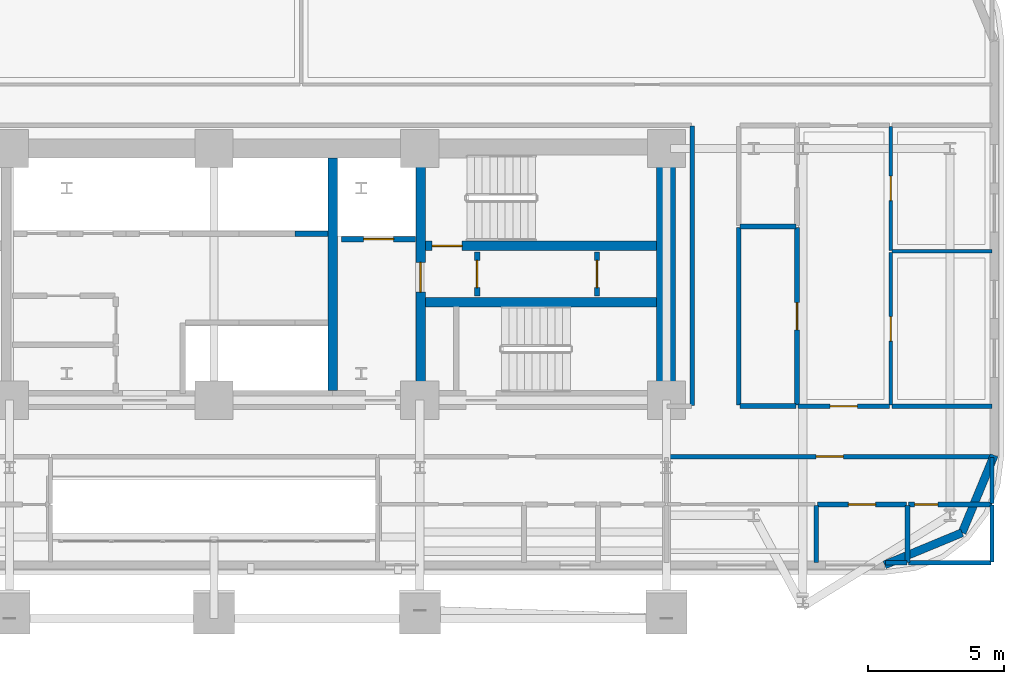
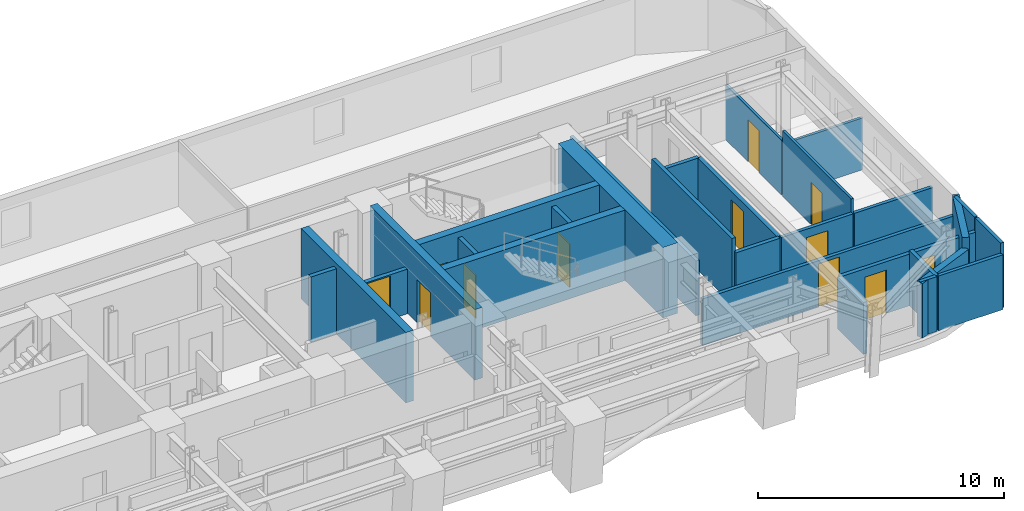
# One storey, part 10 of 15: 30 walls, 12 doors, 12 openings.
"""IFC4 building model written with IfcOpenShell, lengths in metres."""

from ifc_helpers import new_model, si_unit, direction, frame, frame_2d, origin, place, context, subcontext, project, spatial, rectangle, extrude, material, layer, layer_set, type_object, element, fill, save


model = new_model("IFC4")

# Units and contexts
model_context = context("Model", 3, precision=1e-05, world=origin(), true_north=direction((0.0, 1.0)))
body_context = subcontext(model_context, "Body", "Model", "MODEL_VIEW")
ifc_project = project(units=[si_unit("LENGTHUNIT", "METRE"), si_unit("AREAUNIT", "SQUARE_METRE"), si_unit("VOLUMEUNIT", "CUBIC_METRE"), si_unit("PLANEANGLEUNIT", "RADIAN"), si_unit("MASSUNIT", "GRAM", prefix="KILO")], contexts=[model_context])

# Site, building, storey
site_placement = place(None, origin())
site = spatial("IfcSite", under=ifc_project, at=site_placement, CompositionType="ELEMENT")
building_placement = place(site_placement, origin())
building = spatial("IfcBuilding", under=site, at=building_placement, Name="Zarnavel Station Tower", CompositionType="ELEMENT")
storey_placement = place(building_placement, frame((0.0, 0.0, 67.5)))
storey = spatial("IfcBuildingStorey", under=building, at=storey_placement, Name="L18", CompositionType="ELEMENT", Elevation=67.5)

# Wall
ifc_material_1 = material(Name="Concrete C50/60", Category="concrete")
ifc_layer_1 = layer(ifc_material_1, 0.35009765625)
ifc_layer_set_1 = layer_set([ifc_layer_1], Name="CW_350")
wall_type_1 = type_object("IfcWallType", Name="CW_350", PredefinedType="SHEAR", material=ifc_layer_set_1)
wall_1_placement = place(storey_placement, frame((33.14990234375, 28.169921875, 0.0), z_axis=(0.0, 0.0, 1.0), x_axis=(0.0, 1.0, 0.0)))
element("IfcWall", 1, at=wall_1_placement, inside=storey, type_object=wall_type_1, Name="L18 Rear Core Shear Wall DIV-E", PredefinedType="SHEAR", context=body_context, shape_type="SweptSolid", body=[
    extrude(rectangle(XDim=8.530029296875, YDim=0.35009765625, at=frame_2d((4.26513671875, 0.0))), origin(), (0.0, 0.0, 1.0), 3.5),
])

# Wall, opening, door
wall_2_placement = place(storey_placement, frame((36.3798828125, 28.169921875, 0.0), z_axis=(0.0, 0.0, 1.0), x_axis=(0.0, 1.0, 0.0)))
wall_2 = element("IfcWall", 2, at=wall_2_placement, inside=storey, type_object=wall_type_1, Name="L18 Rear Core Shear Wall DIV-S2", PredefinedType="SHEAR", context=body_context, shape_type="SweptSolid", body=[
    extrude(rectangle(XDim=8.530029296875, YDim=0.35009765625, at=frame_2d((4.26513671875, 0.0))), origin(), (0.0, 0.0, 1.0), 3.5),
])
opening_1_placement = place(wall_2_placement, frame((3.610107421875, 0.0, 0.0)))
opening_1 = element("IfcOpeningElement", 3, at=opening_1_placement, cuts=wall_2, Name="Opening FD01", PredefinedType="OPENING", context=body_context, shape_type="SweptSolid", body=[
    extrude(rectangle(XDim=1.10009765625, YDim=2.14990234375, at=frame_2d((0.550048828125, 1.074951171875))), frame((0.0, 0.18505859375, 0.0), z_axis=(0.0, -1.0, 0.0), x_axis=(1.0, 0.0, 0.0)), (0.0, 0.0, 1.0), 0.3701171875),
])
ifc_material_2 = material(Name="Painted Galvanised Steel and Hardwood Leaf", Category="steel")
door_type_1 = type_object("IfcDoorType", Name="ID_STAIR_1100", OperationType="NOTDEFINED", PredefinedType="DOOR", material=ifc_material_2)
door_1_placement = place(opening_1_placement, origin())
door_1 = element("IfcDoor", 4, at=door_1_placement, inside=storey, type_object=door_type_1, Name="L18 East Stair Vestibule Fire Door", OperationType="SINGLE_SWING_LEFT", OverallHeight=2.14990234375, OverallWidth=1.10009765625, PredefinedType="DOOR", context=body_context, shape_type="SweptSolid", body=[
    extrude(rectangle(XDim=1.10009765625, YDim=2.14990234375, at=frame_2d((0.550048828125, 1.074951171875))), frame((0.0, 0.02490234375, 0.0), z_axis=(0.0, -1.0, 0.0), x_axis=(1.0, 0.0, 0.0)), (0.0, 0.0, 1.0), 0.050048828125),
])
fill(opening_1, door_1)

wall_3_placement = place(storey_placement, frame((45.030029296875, 33.47998046875, 0.0), z_axis=(0.0, 0.0, 1.0), x_axis=(-1.0, 0.0, 0.0)))
wall_3 = element("IfcWall", 5, at=wall_3_placement, inside=storey, type_object=wall_type_1, Name="L18 Rear Core Shear Wall DIV-H2", PredefinedType="SHEAR", context=body_context, shape_type="SweptSolid", body=[
    extrude(rectangle(XDim=8.47509765625, YDim=0.35009765625, at=frame_2d((4.237548828125, 0.0))), origin(), (0.0, 0.0, 1.0), 3.5),
])
opening_2_placement = place(wall_3_placement, frame((7.1298828125, 0.0, 0.0)))
opening_2 = element("IfcOpeningElement", 6, at=opening_2_placement, cuts=wall_3, Name="Opening FD01", PredefinedType="OPENING", context=body_context, shape_type="SweptSolid", body=[
    extrude(rectangle(XDim=1.10009765625, YDim=2.14990234375, at=frame_2d((0.550048828125, 1.074951171875))), frame((0.0, 0.18505859375, 0.0), z_axis=(0.0, -1.0, 0.0), x_axis=(1.0, 0.0, 0.0)), (0.0, 0.0, 1.0), 0.3701171875),
])
door_2_placement = place(opening_2_placement, origin())
door_2 = element("IfcDoor", 7, at=door_2_placement, inside=storey, type_object=door_type_1, Name="L18 Stair ST2 Lobby Fire Door", OperationType="SINGLE_SWING_RIGHT", OverallHeight=2.14990234375, OverallWidth=1.10009765625, PredefinedType="DOOR", context=body_context, shape_type="SweptSolid", body=[
    extrude(rectangle(XDim=1.10009765625, YDim=2.14990234375, at=frame_2d((0.550048828125, 1.074951171875))), frame((0.0, 0.02490234375, 0.0), z_axis=(0.0, -1.0, 0.0), x_axis=(1.0, 0.0, 0.0)), (0.0, 0.0, 1.0), 0.050048828125),
])
fill(opening_2, door_2)

# Walls
wall_4_placement = place(storey_placement, frame((36.554931640625, 31.419921875, 0.0), z_axis=(0.0, 0.0, 1.0), x_axis=(1.0, 0.0, 0.0)))
element("IfcWall", 8, at=wall_4_placement, inside=storey, type_object=wall_type_1, Name="L18 Rear Core Shear Wall DIV-H3", PredefinedType="SHEAR", context=body_context, shape_type="SweptSolid", body=[
    extrude(rectangle(XDim=8.47509765625, YDim=0.35009765625, at=frame_2d((4.237548828125, 0.0))), origin(), (0.0, 0.0, 1.0), 3.5),
])
ifc_material_3 = material(Name="Concrete C60/75", Category="concrete")
ifc_layer_2 = layer(ifc_material_3, 0.699951171875)
ifc_layer_set_2 = layer_set([ifc_layer_2], Name="CW_700")
wall_type_2 = type_object("IfcWallType", Name="CW_700", PredefinedType="SHEAR", material=ifc_layer_set_2)
wall_5_placement = place(storey_placement, frame((45.3798828125, 28.169921875, 0.0), z_axis=(0.0, 0.0, 1.0), x_axis=(0.0, 1.0, 0.0)))
element("IfcWall", 9, at=wall_5_placement, inside=storey, type_object=wall_type_2, Name="L18 Rear Core Shear Wall E", PredefinedType="SHEAR", context=body_context, shape_type="SweptSolid", body=[
    extrude(rectangle(XDim=8.530029296875, YDim=0.699951171875, at=frame_2d((4.26513671875, 0.0))), origin(), (0.0, 0.0, 1.0), 3.5),
])
ifc_material_4 = material(Name="Precast concrete C45/55 (Dark Basalt Finish)", Category="masonry")
ifc_layer_3 = layer(ifc_material_4, 0.300048828125)
ifc_layer_set_3 = layer_set([ifc_layer_3], Name="EW_BASALT_300")
wall_type_3 = type_object("IfcWallType", Name="EW_BASALT_300", PredefinedType="SOLIDWALL", material=ifc_layer_set_3)
wall_6_placement = place(storey_placement, frame((56.24267578125, 22.95751953125, 0.0), z_axis=(0.0, 0.0, 1.0), x_axis=(-0.923882414032, -0.382676475685, 0.0)))
element("IfcWall", 10, at=wall_6_placement, inside=storey, type_object=wall_type_3, Name="L18 Exterior Basalt Masonry Frame Wall 01", PredefinedType="SOLIDWALL", context=body_context, shape_type="SweptSolid", body=[
    extrude(rectangle(XDim=3.076904296875, YDim=0.300048828125, at=frame_2d((1.53857421875, 0.0))), origin(), (0.0, 0.0, 1.0), 2.719970703125),
])
wall_7_placement = place(storey_placement, frame((57.419921875, 25.800048828125, 0.0), z_axis=(0.0, 0.0, 1.0), x_axis=(-0.382636798336, -0.92389884758, 0.0)))
element("IfcWall", 11, at=wall_7_placement, inside=storey, type_object=wall_type_3, Name="L18 Exterior Basalt Masonry Frame Wall 02", PredefinedType="SOLIDWALL", context=body_context, shape_type="SweptSolid", body=[
    extrude(rectangle(XDim=3.07666015625, YDim=0.300048828125, at=frame_2d((1.538330078125, 0.0))), origin(), (0.0, 0.0, 1.0), 3.239990234375),
])

# Wall, opening, door
ifc_material_5 = material(Name="Gypsum Twin-Stud Acoustic Fire Partition", Category="concrete")
ifc_layer_4 = layer(ifc_material_5, 0.159912109375)
ifc_layer_set_4 = layer_set([ifc_layer_4], Name="PT_DEMISE_160")
wall_type_4 = type_object("IfcWallType", Name="PT_DEMISE_160", PredefinedType="PARTITIONING", material=ifc_layer_set_4)
wall_8_placement = place(storey_placement, frame((50.22705078125, 27.60009765625, 0.0), z_axis=(0.0, 0.0, 1.0), x_axis=(1.0, 0.0, 0.0)))
wall_8 = element("IfcWall", 12, at=wall_8_placement, inside=storey, type_object=wall_type_4, Name="L18 Partition COR-S-FNELV", PredefinedType="PARTITIONING", context=body_context, shape_type="SweptSolid", body=[
    extrude(rectangle(XDim=3.35693359375, YDim=0.159912109375, at=frame_2d((1.678466796875, 0.0))), origin(), (0.0, 0.0, 1.0), 2.570068359375),
])
opening_3_placement = place(wall_8_placement, frame((1.178466796875, 0.0, 0.0)))
opening_3 = element("IfcOpeningElement", 13, at=opening_3_placement, cuts=wall_8, Name="Opening FD02", PredefinedType="OPENING", context=body_context, shape_type="SweptSolid", body=[
    extrude(rectangle(XDim=1.0, YDim=2.14990234375, at=frame_2d((0.5, 1.074951171875))), frame((0.0, 0.08984375, 0.0), z_axis=(0.0, -1.0, 0.0), x_axis=(1.0, 0.0, 0.0)), (0.0, 0.0, 1.0), 0.179931640625),
])
ifc_material_6 = material(Name="Painted Galvanised Steel and Hardwood Leaf", Category="steel")
door_type_2 = type_object("IfcDoorType", Name="ID_ENTRY_1000", OperationType="NOTDEFINED", PredefinedType="DOOR", material=ifc_material_6)
door_3_placement = place(opening_3_placement, origin())
door_3 = element("IfcDoor", 14, at=door_3_placement, inside=storey, type_object=door_type_2, Name="L18 Door COR-S-FNELV", OperationType="SINGLE_SWING_LEFT", OverallHeight=2.14990234375, OverallWidth=1.0, PredefinedType="DOOR", context=body_context, shape_type="SweptSolid", body=[
    extrude(rectangle(XDim=1.0, YDim=2.14990234375, at=frame_2d((0.5, 1.074951171875))), frame((0.0, 0.02490234375, 0.0), z_axis=(0.0, -1.0, 0.0), x_axis=(1.0, 0.0, 0.0)), (0.0, 0.0, 1.0), 0.050048828125),
])
fill(opening_3, door_3)

# Wall
wall_9_placement = place(storey_placement, frame((53.6640625, 27.60009765625, 0.0), z_axis=(0.0, 0.0, 1.0), x_axis=(1.0, 0.0, 0.0)))
element("IfcWall", 15, at=wall_9_placement, inside=storey, type_object=wall_type_4, Name="L18 Partition COR-S-FNEB1", PredefinedType="PARTITIONING", context=body_context, shape_type="SweptSolid", body=[
    extrude(rectangle(XDim=3.676025390625, YDim=0.159912109375, at=frame_2d((1.837890625, 0.0))), origin(), (0.0, 0.0, 1.0), 2.570068359375),
])

# Wall, opening, door
wall_10_placement = place(storey_placement, frame((45.43994140625, 25.75, 0.0), z_axis=(0.0, 0.0, 1.0), x_axis=(1.0, 0.0, 0.0)))
wall_10 = element("IfcWall", 16, at=wall_10_placement, inside=storey, type_object=wall_type_4, Name="L18 Partition COR-S-UE2LV", PredefinedType="PARTITIONING", context=body_context, shape_type="SweptSolid", body=[
    extrude(rectangle(XDim=11.900146484375, YDim=0.159912109375, at=frame_2d((5.9501953125, 0.0))), origin(), (0.0, 0.0, 1.0), 2.31005859375),
])
opening_4_placement = place(wall_10_placement, frame((5.449951171875, 0.0, 0.0)))
opening_4 = element("IfcOpeningElement", 17, at=opening_4_placement, cuts=wall_10, Name="Opening FD02", PredefinedType="OPENING", context=body_context, shape_type="SweptSolid", body=[
    extrude(rectangle(XDim=1.0, YDim=2.14990234375, at=frame_2d((0.5, 1.074951171875))), frame((0.0, 0.08984375, 0.0), z_axis=(0.0, -1.0, 0.0), x_axis=(1.0, 0.0, 0.0)), (0.0, 0.0, 1.0), 0.179931640625),
])
door_4_placement = place(opening_4_placement, origin())
door_4 = element("IfcDoor", 18, at=door_4_placement, inside=storey, type_object=door_type_2, Name="L18 Door COR-S-UE2LV", OperationType="SINGLE_SWING_LEFT", OverallHeight=2.14990234375, OverallWidth=1.0, PredefinedType="DOOR", context=body_context, shape_type="SweptSolid", body=[
    extrude(rectangle(XDim=1.0, YDim=2.14990234375, at=frame_2d((0.5, 1.074951171875))), frame((0.0, 0.02490234375, 0.0), z_axis=(0.0, -1.0, 0.0), x_axis=(1.0, 0.0, 0.0)), (0.0, 0.0, 1.0), 0.050048828125),
])
fill(opening_4, door_4)

# Walls
wall_11_placement = place(storey_placement, frame((46.35009765625, 27.6298828125, 0.0), z_axis=(0.0, 0.0, 1.0), x_axis=(0.0, 1.0, 0.0)))
element("IfcWall", 19, at=wall_11_placement, inside=storey, type_object=wall_type_4, Name="L18 Enclosure Wall COR-E", PredefinedType="PARTITIONING", context=body_context, shape_type="SweptSolid", body=[
    extrude(rectangle(XDim=10.240234375, YDim=0.159912109375, at=frame_2d((5.1201171875, 0.0))), origin(), (0.0, 0.0, 1.0), 2.719970703125),
])
wall_12_placement = place(storey_placement, frame((57.340087890625, 24.030029296875, 0.0), z_axis=(0.0, 0.0, 1.0), x_axis=(0.0, 1.0, 0.0)))
element("IfcWall", 20, at=wall_12_placement, inside=storey, type_object=wall_type_4, Name="L18 Enclosure Wall UE2LV", PredefinedType="PARTITIONING", context=body_context, shape_type="SweptSolid", body=[
    extrude(rectangle(XDim=1.68994140625, YDim=0.159912109375, at=frame_2d((0.844970703125, 0.0))), origin(), (0.0, 0.0, 1.0), 3.239990234375),
])
wall_13_placement = place(storey_placement, frame((53.429931640625, 21.860107421875, 0.0), z_axis=(0.0, 0.0, 1.0), x_axis=(1.0, 0.0, 0.0)))
element("IfcWall", 21, at=wall_13_placement, inside=storey, type_object=wall_type_4, Name="L18 Enclosure Wall UE2KT", PredefinedType="PARTITIONING", context=body_context, shape_type="SweptSolid", body=[
    extrude(rectangle(XDim=0.78515625, YDim=0.159912109375, at=frame_2d((0.392578125, 0.0))), origin(), (0.0, 0.0, 1.0), 2.719970703125),
])
wall_14_placement = place(storey_placement, frame((54.27490234375, 21.860107421875, 0.0), z_axis=(0.0, 0.0, 1.0), x_axis=(1.0, 0.0, 0.0)))
element("IfcWall", 22, at=wall_14_placement, inside=storey, type_object=wall_type_4, Name="L18 Enclosure Wall UE2BA", PredefinedType="PARTITIONING", context=body_context, shape_type="SweptSolid", body=[
    extrude(rectangle(XDim=3.03515625, YDim=0.159912109375, at=frame_2d((1.517578125, 0.0))), origin(), (0.0, 0.0, 1.0), 2.719970703125),
])
wall_15_placement = place(storey_placement, frame((57.340087890625, 21.889892578125, 0.0), z_axis=(0.0, 0.0, 1.0), x_axis=(0.0, 1.0, 0.0)))
element("IfcWall", 23, at=wall_15_placement, inside=storey, type_object=wall_type_4, Name="L18 Enclosure Wall UE2BA", PredefinedType="PARTITIONING", context=body_context, shape_type="SweptSolid", body=[
    extrude(rectangle(XDim=2.080078125, YDim=0.159912109375, at=frame_2d((1.0400390625, 0.0))), origin(), (0.0, 0.0, 1.0), 3.239990234375),
])

# Wall, opening, door
ifc_material_7 = material(Name="Gypsum Metal-Stud Interior Partition", Category="concrete")
ifc_layer_5 = layer(ifc_material_7, 0.1201171875)
ifc_layer_set_5 = layer_set([ifc_layer_5], Name="PT_ROOM_120")
wall_type_5 = type_object("IfcWallType", Name="PT_ROOM_120", PredefinedType="PARTITIONING", material=ifc_layer_set_5)
wall_16_placement = place(storey_placement, frame((53.6240234375, 27.639892578125, 0.0), z_axis=(0.0, 0.0, 1.0), x_axis=(0.0, 1.0, 0.0)))
wall_16 = element("IfcWall", 24, at=wall_16_placement, inside=storey, type_object=wall_type_5, Name="L18 Partition FNELV-FNEB1", PredefinedType="PARTITIONING", context=body_context, shape_type="SweptSolid", body=[
    extrude(rectangle(XDim=5.59912109375, YDim=0.1201171875, at=frame_2d((2.799560546875, 0.0))), origin(), (0.0, 0.0, 1.0), 3.239990234375),
])
opening_5_placement = place(wall_16_placement, frame((2.349609375, 0.0, 0.0)))
opening_5 = element("IfcOpeningElement", 25, at=opening_5_placement, cuts=wall_16, Name="Opening ID01", PredefinedType="OPENING", context=body_context, shape_type="SweptSolid", body=[
    extrude(rectangle(XDim=0.89990234375, YDim=2.10009765625, at=frame_2d((0.449951171875, 1.050048828125))), frame((0.0, 0.070068359375, 0.0), z_axis=(0.0, -1.0, 0.0), x_axis=(1.0, 0.0, 0.0)), (0.0, 0.0, 1.0), 0.14013671875),
])
ifc_material_8 = material(Name="Painted Galvanised Steel and Hardwood Leaf", Category="steel")
door_type_3 = type_object("IfcDoorType", Name="ID_ROOM_900", OperationType="NOTDEFINED", PredefinedType="DOOR", material=ifc_material_8)
door_5_placement = place(opening_5_placement, origin())
door_5 = element("IfcDoor", 26, at=door_5_placement, inside=storey, type_object=door_type_3, Name="L18 Door FNELV-FNEB1", OperationType="SINGLE_SWING_LEFT", OverallHeight=2.10009765625, OverallWidth=0.89990234375, PredefinedType="DOOR", context=body_context, shape_type="SweptSolid", body=[
    extrude(rectangle(XDim=0.89990234375, YDim=2.10009765625, at=frame_2d((0.449951171875, 1.050048828125))), frame((0.0, 0.02490234375, 0.0), z_axis=(0.0, -1.0, 0.0), x_axis=(1.0, 0.0, 0.0)), (0.0, 0.0, 1.0), 0.050048828125),
])
fill(opening_5, door_5)

wall_17_placement = place(storey_placement, frame((53.6240234375, 33.319091796875, 0.0), z_axis=(0.0, 0.0, 1.0), x_axis=(0.0, 1.0, 0.0)))
wall_17 = element("IfcWall", 27, at=wall_17_placement, inside=storey, type_object=wall_type_5, Name="L18 Partition FNELV-FNEB2", PredefinedType="PARTITIONING", context=body_context, shape_type="SweptSolid", body=[
    extrude(rectangle(XDim=4.541015625, YDim=0.1201171875, at=frame_2d((2.2705078125, 0.0))), origin(), (0.0, 0.0, 1.0), 2.719970703125),
])
opening_6_placement = place(wall_17_placement, frame((1.820556640625, 0.0, 0.0)))
opening_6 = element("IfcOpeningElement", 28, at=opening_6_placement, cuts=wall_17, Name="Opening ID01", PredefinedType="OPENING", context=body_context, shape_type="SweptSolid", body=[
    extrude(rectangle(XDim=0.89990234375, YDim=2.10009765625, at=frame_2d((0.449951171875, 1.050048828125))), frame((0.0, 0.070068359375, 0.0), z_axis=(0.0, -1.0, 0.0), x_axis=(1.0, 0.0, 0.0)), (0.0, 0.0, 1.0), 0.14013671875),
])
door_6_placement = place(opening_6_placement, origin())
door_6 = element("IfcDoor", 29, at=door_6_placement, inside=storey, type_object=door_type_3, Name="L18 Door FNELV-FNEB2", OperationType="SINGLE_SWING_RIGHT", OverallHeight=2.10009765625, OverallWidth=0.89990234375, PredefinedType="DOOR", context=body_context, shape_type="SweptSolid", body=[
    extrude(rectangle(XDim=0.89990234375, YDim=2.10009765625, at=frame_2d((0.449951171875, 1.050048828125))), frame((0.0, 0.02490234375, 0.0), z_axis=(0.0, -1.0, 0.0), x_axis=(1.0, 0.0, 0.0)), (0.0, 0.0, 1.0), 0.050048828125),
])
fill(opening_6, door_6)

# Wall
wall_18_placement = place(storey_placement, frame((53.6640625, 33.279052734375, 0.0), z_axis=(0.0, 0.0, 1.0), x_axis=(1.0, 0.0, 0.0)))
element("IfcWall", 30, at=wall_18_placement, inside=storey, type_object=wall_type_5, Name="L18 Partition FNEB1-FNEB2", PredefinedType="PARTITIONING", context=body_context, shape_type="SweptSolid", body=[
    extrude(rectangle(XDim=3.676025390625, YDim=0.1201171875, at=frame_2d((1.837890625, 0.0))), origin(), (0.0, 0.0, 1.0), 2.570068359375),
])

# Wall, opening, door
ifc_material_9 = material(Name="Precast concrete C45/55 (Fire Shaft Blockwork)", Category="masonry")
ifc_layer_6 = layer(ifc_material_9, 0.199951171875)
ifc_layer_set_6 = layer_set([ifc_layer_6], Name="PT_SHAFT_200")
wall_type_6 = type_object("IfcWallType", Name="PT_SHAFT_200", PredefinedType="PARTITIONING", material=ifc_layer_set_6)
wall_19_placement = place(storey_placement, frame((33.47509765625, 33.72998046875, 0.0), z_axis=(0.0, 0.0, 1.0), x_axis=(1.0, 0.0, 0.0)))
wall_19 = element("IfcWall", 31, at=wall_19_placement, inside=storey, type_object=wall_type_6, Name="L18 Lift FFL-02 Shaft Front Wall", PredefinedType="PARTITIONING", context=body_context, shape_type="SweptSolid", body=[
    extrude(rectangle(XDim=2.724853515625, YDim=0.199951171875, at=frame_2d((1.3623046875, 0.0))), origin(), (0.0, 0.0, 1.0), 2.2119140625),
])
opening_7_placement = place(wall_19_placement, frame((0.8125, 0.0, 0.0)))
opening_7 = element("IfcOpeningElement", 32, at=opening_7_placement, cuts=wall_19, Name="Opening LD01", PredefinedType="OPENING", context=body_context, shape_type="SweptSolid", body=[
    extrude(rectangle(XDim=1.10009765625, YDim=2.14990234375, at=frame_2d((0.550048828125, 1.074951171875))), frame((0.0, 0.10986328125, 0.0), z_axis=(0.0, -1.0, 0.0), x_axis=(1.0, 0.0, 0.0)), (0.0, 0.0, 1.0), 0.219970703125),
])
ifc_material_10 = material(Name="Painted Galvanised Steel and Hardwood Leaf", Category="steel")
door_type_4 = type_object("IfcDoorType", Name="LD_FF_1100", OperationType="DOUBLE_DOOR_SLIDING", PredefinedType="DOOR", material=ifc_material_10)
door_7_placement = place(opening_7_placement, origin())
door_7 = element("IfcDoor", 33, at=door_7_placement, inside=storey, type_object=door_type_4, Name="L18 Lift FFL-02 Sliding Landing Door", OperationType="DOUBLE_DOOR_SLIDING", OverallHeight=2.14990234375, OverallWidth=1.10009765625, PredefinedType="DOOR", context=body_context, shape_type="SweptSolid", body=[
    extrude(rectangle(XDim=1.10009765625, YDim=2.14990234375, at=frame_2d((0.550048828125, 1.074951171875))), frame((0.0, 0.02490234375, 0.0), z_axis=(0.0, -1.0, 0.0), x_axis=(1.0, 0.0, 0.0)), (0.0, 0.0, 1.0), 0.050048828125),
])
fill(opening_7, door_7)

# Wall
wall_20_placement = place(storey_placement, frame((31.77490234375, 33.929931640625, 0.0), z_axis=(0.0, 0.0, 1.0), x_axis=(1.0, 0.0, 0.0)))
element("IfcWall", 34, at=wall_20_placement, inside=storey, type_object=wall_type_6, Name="L18 Lift PL-M3 Shaft Front Wall", PredefinedType="PARTITIONING", context=body_context, shape_type="SweptSolid", body=[
    extrude(rectangle(XDim=1.2001953125, YDim=0.199951171875, at=frame_2d((0.60009765625, 0.0))), origin(), (0.0, 0.0, 1.0), 3.239990234375),
])

# Wall, opening, door
wall_21_placement = place(storey_placement, frame((38.449951171875, 31.639892578125, 0.0), z_axis=(0.0, 0.0, 1.0), x_axis=(0.0, 1.0, 0.0)))
wall_21 = element("IfcWall", 35, at=wall_21_placement, inside=storey, type_object=wall_type_6, Name="L18 Partition ESTV-CEA", PredefinedType="PARTITIONING", context=body_context, shape_type="SweptSolid", body=[
    extrude(rectangle(XDim=1.6201171875, YDim=0.199951171875, at=frame_2d((0.81005859375, 0.0))), origin(), (0.0, 0.0, 1.0), 3.239990234375),
])
opening_8_placement = place(wall_21_placement, frame((0.31005859375, 0.0, 0.0)))
opening_8 = element("IfcOpeningElement", 36, at=opening_8_placement, cuts=wall_21, Name="Opening FD02", PredefinedType="OPENING", context=body_context, shape_type="SweptSolid", body=[
    extrude(rectangle(XDim=1.0, YDim=2.14990234375, at=frame_2d((0.5, 1.074951171875))), frame((0.0, 0.10986328125, 0.0), z_axis=(0.0, -1.0, 0.0), x_axis=(1.0, 0.0, 0.0)), (0.0, 0.0, 1.0), 0.219970703125),
])
door_8_placement = place(opening_8_placement, origin())
door_8 = element("IfcDoor", 37, at=door_8_placement, inside=storey, type_object=door_type_2, Name="L18 Door ESTV-CEA", OperationType="SINGLE_SWING_LEFT", OverallHeight=2.14990234375, OverallWidth=1.0, PredefinedType="DOOR", context=body_context, shape_type="SweptSolid", body=[
    extrude(rectangle(XDim=1.0, YDim=2.14990234375, at=frame_2d((0.5, 1.074951171875))), frame((0.0, 0.02490234375, 0.0), z_axis=(0.0, -1.0, 0.0), x_axis=(1.0, 0.0, 0.0)), (0.0, 0.0, 1.0), 0.050048828125),
])
fill(opening_8, door_8)

wall_22_placement = place(storey_placement, frame((42.85009765625, 31.639892578125, 0.0), z_axis=(0.0, 0.0, 1.0), x_axis=(0.0, 1.0, 0.0)))
wall_22 = element("IfcWall", 38, at=wall_22_placement, inside=storey, type_object=wall_type_6, Name="L18 Partition CEA-CEB", PredefinedType="PARTITIONING", context=body_context, shape_type="SweptSolid", body=[
    extrude(rectangle(XDim=1.6201171875, YDim=0.199951171875, at=frame_2d((0.81005859375, 0.0))), origin(), (0.0, 0.0, 1.0), 3.239990234375),
])
opening_9_placement = place(wall_22_placement, frame((0.31005859375, 0.0, 0.0)))
opening_9 = element("IfcOpeningElement", 39, at=opening_9_placement, cuts=wall_22, Name="Opening FD02", PredefinedType="OPENING", context=body_context, shape_type="SweptSolid", body=[
    extrude(rectangle(XDim=1.0, YDim=2.14990234375, at=frame_2d((0.5, 1.074951171875))), frame((0.0, 0.10986328125, 0.0), z_axis=(0.0, -1.0, 0.0), x_axis=(1.0, 0.0, 0.0)), (0.0, 0.0, 1.0), 0.219970703125),
])
door_9_placement = place(opening_9_placement, origin())
door_9 = element("IfcDoor", 40, at=door_9_placement, inside=storey, type_object=door_type_2, Name="L18 Door CEA-CEB", OperationType="SINGLE_SWING_RIGHT", OverallHeight=2.14990234375, OverallWidth=1.0, PredefinedType="DOOR", context=body_context, shape_type="SweptSolid", body=[
    extrude(rectangle(XDim=1.0, YDim=2.14990234375, at=frame_2d((0.5, 1.074951171875))), frame((0.0, 0.02490234375, 0.0), z_axis=(0.0, -1.0, 0.0), x_axis=(1.0, 0.0, 0.0)), (0.0, 0.0, 1.0), 0.050048828125),
])
fill(opening_9, door_9)

# Walls
ifc_material_11 = material(Name="Moisture-Resistant Plumbing Chase Wall", Category="concrete")
ifc_layer_7 = layer(ifc_material_11, 0.179931640625)
ifc_layer_set_7 = layer_set([ifc_layer_7], Name="PW_PLUMB_180")
wall_type_7 = type_object("IfcWallType", Name="PW_PLUMB_180", PredefinedType="PLUMBINGWALL", material=ifc_layer_set_7)
wall_23_placement = place(storey_placement, frame((48.090087890625, 27.60009765625, 0.0), z_axis=(0.0, 0.0, 1.0), x_axis=(1.0, 0.0, 0.0)))
element("IfcWall", 41, at=wall_23_placement, inside=storey, type_object=wall_type_7, Name="L18 Partition COR-S-FNEKT", PredefinedType="PLUMBINGWALL", context=body_context, shape_type="SweptSolid", body=[
    extrude(rectangle(XDim=2.056884765625, YDim=0.179931640625, at=frame_2d((1.0283203125, 0.0))), origin(), (0.0, 0.0, 1.0), 2.570068359375),
])
wall_24_placement = place(storey_placement, frame((48.050048828125, 27.639892578125, 0.0), z_axis=(0.0, 0.0, 1.0), x_axis=(0.0, 1.0, 0.0)))
element("IfcWall", 42, at=wall_24_placement, inside=storey, type_object=wall_type_7, Name="L18 Partition COR-E-FNEKT", PredefinedType="PLUMBINGWALL", context=body_context, shape_type="SweptSolid", body=[
    extrude(rectangle(XDim=6.51220703125, YDim=0.179931640625, at=frame_2d((3.256103515625, 0.0))), origin(), (0.0, 0.0, 1.0), 3.239990234375),
])

# Wall, opening, door
wall_25_placement = place(storey_placement, frame((50.18701171875, 27.639892578125, 0.0), z_axis=(0.0, 0.0, 1.0), x_axis=(0.0, 1.0, 0.0)))
wall_25 = element("IfcWall", 43, at=wall_25_placement, inside=storey, type_object=wall_type_7, Name="L18 Partition FNELV-FNEKT", PredefinedType="PLUMBINGWALL", context=body_context, shape_type="SweptSolid", body=[
    extrude(rectangle(XDim=6.51220703125, YDim=0.179931640625, at=frame_2d((3.256103515625, 0.0))), origin(), (0.0, 0.0, 1.0), 2.570068359375),
])
opening_10_placement = place(wall_25_placement, frame((2.756103515625, 0.0, 0.0)))
opening_10 = element("IfcOpeningElement", 44, at=opening_10_placement, cuts=wall_25, Name="Opening FD02", PredefinedType="OPENING", context=body_context, shape_type="SweptSolid", body=[
    extrude(rectangle(XDim=1.0, YDim=2.14990234375, at=frame_2d((0.5, 1.074951171875))), frame((0.0, 0.099853515625, 0.0), z_axis=(0.0, -1.0, 0.0), x_axis=(1.0, 0.0, 0.0)), (0.0, 0.0, 1.0), 0.199951171875),
])
door_10_placement = place(opening_10_placement, origin())
door_10 = element("IfcDoor", 45, at=door_10_placement, inside=storey, type_object=door_type_2, Name="L18 Door FNELV-FNEKT", OperationType="SINGLE_SWING_LEFT", OverallHeight=2.14990234375, OverallWidth=1.0, PredefinedType="DOOR", context=body_context, shape_type="SweptSolid", body=[
    extrude(rectangle(XDim=1.0, YDim=2.14990234375, at=frame_2d((0.5, 1.074951171875))), frame((0.0, 0.02490234375, 0.0), z_axis=(0.0, -1.0, 0.0), x_axis=(1.0, 0.0, 0.0)), (0.0, 0.0, 1.0), 0.050048828125),
])
fill(opening_10, door_10)

# Wall
wall_26_placement = place(storey_placement, frame((48.090087890625, 34.19189453125, 0.0), z_axis=(0.0, 0.0, 1.0), x_axis=(1.0, 0.0, 0.0)))
element("IfcWall", 46, at=wall_26_placement, inside=storey, type_object=wall_type_7, Name="L18 Partition FNEKT-FNEBA", PredefinedType="PLUMBINGWALL", context=body_context, shape_type="SweptSolid", body=[
    extrude(rectangle(XDim=2.056884765625, YDim=0.179931640625, at=frame_2d((1.0283203125, 0.0))), origin(), (0.0, 0.0, 1.0), 2.570068359375),
])

# Wall, opening, door
wall_27_placement = place(storey_placement, frame((50.931884765625, 24.0, 0.0), z_axis=(0.0, 0.0, 1.0), x_axis=(1.0, 0.0, 0.0)))
wall_27 = element("IfcWall", 47, at=wall_27_placement, inside=storey, type_object=wall_type_7, Name="L18 Partition UE2LV-UE2KT", PredefinedType="PLUMBINGWALL", context=body_context, shape_type="SweptSolid", body=[
    extrude(rectangle(XDim=3.273193359375, YDim=0.179931640625, at=frame_2d((1.63671875, 0.0))), origin(), (0.0, 0.0, 1.0), 2.570068359375),
])
opening_11_placement = place(wall_27_placement, frame((1.136474609375, 0.0, 0.0)))
opening_11 = element("IfcOpeningElement", 48, at=opening_11_placement, cuts=wall_27, Name="Opening FD02", PredefinedType="OPENING", context=body_context, shape_type="SweptSolid", body=[
    extrude(rectangle(XDim=1.0, YDim=2.14990234375, at=frame_2d((0.5, 1.074951171875))), frame((0.0, 0.099853515625, 0.0), z_axis=(0.0, -1.0, 0.0), x_axis=(1.0, 0.0, 0.0)), (0.0, 0.0, 1.0), 0.199951171875),
])
door_11_placement = place(opening_11_placement, origin())
door_11 = element("IfcDoor", 49, at=door_11_placement, inside=storey, type_object=door_type_2, Name="L18 Door UE2LV-UE2KT", OperationType="SINGLE_SWING_LEFT", OverallHeight=2.14990234375, OverallWidth=1.0, PredefinedType="DOOR", context=body_context, shape_type="SweptSolid", body=[
    extrude(rectangle(XDim=1.0, YDim=2.14990234375, at=frame_2d((0.5, 1.074951171875))), frame((0.0, 0.02490234375, 0.0), z_axis=(0.0, -1.0, 0.0), x_axis=(1.0, 0.0, 0.0)), (0.0, 0.0, 1.0), 0.050048828125),
])
fill(opening_11, door_11)

wall_28_placement = place(storey_placement, frame((54.284912109375, 24.0, 0.0), z_axis=(0.0, 0.0, 1.0), x_axis=(1.0, 0.0, 0.0)))
wall_28 = element("IfcWall", 50, at=wall_28_placement, inside=storey, type_object=wall_type_7, Name="L18 Partition UE2LV-UE2BA", PredefinedType="PLUMBINGWALL", context=body_context, shape_type="SweptSolid", body=[
    extrude(rectangle(XDim=3.05517578125, YDim=0.179931640625, at=frame_2d((1.527587890625, 0.0))), origin(), (0.0, 0.0, 1.0), 2.570068359375),
])
opening_12_placement = place(wall_28_placement, frame((0.22021484375, 0.0, 0.0)))
opening_12 = element("IfcOpeningElement", 51, at=opening_12_placement, cuts=wall_28, Name="Opening ID02", PredefinedType="OPENING", context=body_context, shape_type="SweptSolid", body=[
    extrude(rectangle(XDim=0.85009765625, YDim=2.10009765625, at=frame_2d((0.425048828125, 1.050048828125))), frame((0.0, 0.099853515625, 0.0), z_axis=(0.0, -1.0, 0.0), x_axis=(1.0, 0.0, 0.0)), (0.0, 0.0, 1.0), 0.199951171875),
])
ifc_material_12 = material(Name="Painted Galvanised Steel and Hardwood Leaf", Category="steel")
door_type_5 = type_object("IfcDoorType", Name="ID_BATH_850", OperationType="NOTDEFINED", PredefinedType="DOOR", material=ifc_material_12)
door_12_placement = place(opening_12_placement, origin())
door_12 = element("IfcDoor", 52, at=door_12_placement, inside=storey, type_object=door_type_5, Name="L18 Door UE2LV-UE2BA", OperationType="SINGLE_SWING_RIGHT", OverallHeight=2.10009765625, OverallWidth=0.85009765625, PredefinedType="DOOR", context=body_context, shape_type="SweptSolid", body=[
    extrude(rectangle(XDim=0.85009765625, YDim=2.10009765625, at=frame_2d((0.425048828125, 1.050048828125))), frame((0.0, 0.02490234375, 0.0), z_axis=(0.0, -1.0, 0.0), x_axis=(1.0, 0.0, 0.0)), (0.0, 0.0, 1.0), 0.050048828125),
])
fill(opening_12, door_12)

# Walls
wall_29_placement = place(storey_placement, frame((50.89208984375, 21.860107421875, 0.0), z_axis=(0.0, 0.0, 1.0), x_axis=(0.0, 1.0, 0.0)))
element("IfcWall", 53, at=wall_29_placement, inside=storey, type_object=wall_type_7, Name="L18 Partition UE2B1-UE2KT", PredefinedType="PLUMBINGWALL", context=body_context, shape_type="SweptSolid", body=[
    extrude(rectangle(XDim=2.099853515625, YDim=0.179931640625, at=frame_2d((1.0498046875, 0.0))), origin(), (0.0, 0.0, 1.0), 2.570068359375),
])
wall_30_placement = place(storey_placement, frame((54.2451171875, 21.860107421875, 0.0), z_axis=(0.0, 0.0, 1.0), x_axis=(0.0, 1.0, 0.0)))
element("IfcWall", 54, at=wall_30_placement, inside=storey, type_object=wall_type_7, Name="L18 Partition UE2KT-UE2BA", PredefinedType="PLUMBINGWALL", context=body_context, shape_type="SweptSolid", body=[
    extrude(rectangle(XDim=2.099853515625, YDim=0.179931640625, at=frame_2d((1.0498046875, 0.0))), origin(), (0.0, 0.0, 1.0), 2.719970703125),
])

save(model, "model.ifc")
